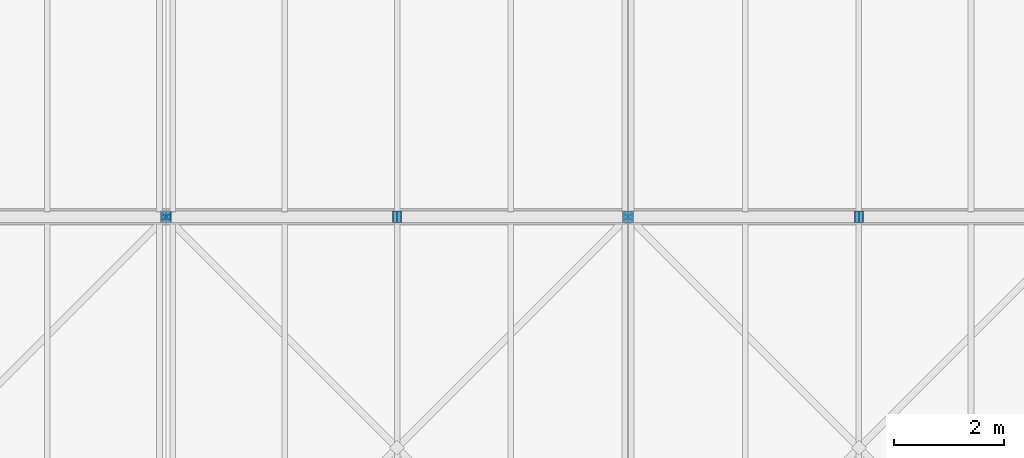
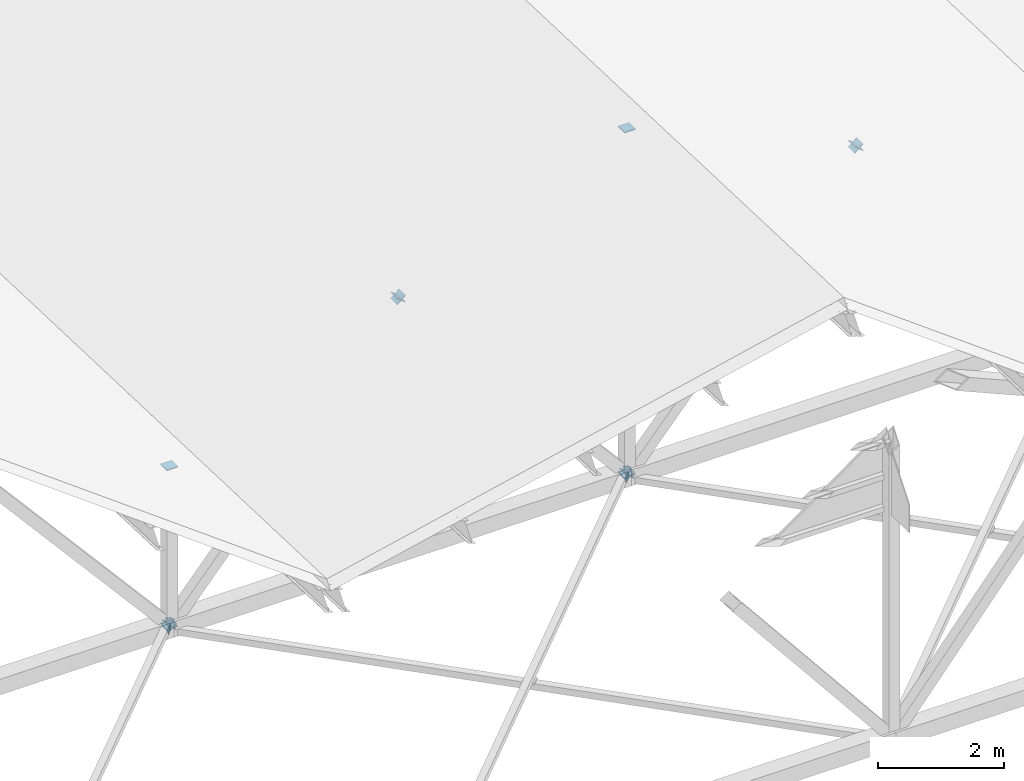
# One storey, part 52 of 76: 16 discrete accessories.
"""IFC4 building model written with IfcOpenShell, lengths in metres."""

from ifc_helpers import new_model, si_unit, direction, frame, origin, origin_2d, place, context, subcontext, project, spatial, rectangle, extrude, material, element, save


model = new_model("IFC4")

# Units and contexts
model_context = context("Model", 3, precision=1e-05, world=origin(), true_north=direction((0.0, 1.0)))
body_context = subcontext(model_context, "Body", "Model", "MODEL_VIEW")
ifc_project = project(units=[si_unit("LENGTHUNIT", "METRE"), si_unit("AREAUNIT", "SQUARE_METRE"), si_unit("VOLUMEUNIT", "CUBIC_METRE"), si_unit("PLANEANGLEUNIT", "RADIAN"), si_unit("MASSUNIT", "GRAM", prefix="KILO")], contexts=[model_context])

# Site, building, storey
site_placement = place(None, origin())
site = spatial("IfcSite", under=ifc_project, at=site_placement, CompositionType="ELEMENT")
building_placement = place(site_placement, origin())
building = spatial("IfcBuilding", under=site, at=building_placement, Name="Hlaing Beacon Police Headquarters", CompositionType="ELEMENT")
storey_placement = place(building_placement, frame((0.0, 0.0, 18.89990234375)))
storey = spatial("IfcBuildingStorey", under=building, at=storey_placement, Name="L04", CompositionType="ELEMENT", Elevation=18.89990234375)

# Discrete accessories
ifc_material = material(Name="Steel ASTM A572 Grade 50", Category="steel")
for number, where, z_axis, x_axis, name in (
    (1, (75.60009765625, 42.0, -4.33740234375), (0.0, 0.0, -1.0), (1.0, 0.0, 0.0), "Gusset plate GP-267"),
    (2, (75.60009765625, 42.0, -1.267578125), (0.0, 0.0, 1.0), (1.0, 0.0, 0.0), "Gusset plate GP-268"),
    (3, (84.0, 42.0, -4.33740234375), (0.0, 0.0, -1.0), (1.0, 0.0, 0.0), "Gusset plate GP-269"),
    (4, (84.0, 42.0, 2.344482421875), (0.0, 0.0, 1.0), (1.0, 0.0, 0.0), "Gusset plate GP-270"),
):
    element("IfcDiscreteAccessory", number, at=place(storey_placement, frame(where, z_axis=z_axis, x_axis=x_axis)), inside=storey, material=ifc_material, Name=name, PredefinedType="BRACKET", context=body_context, shape_type="SweptSolid", body=[
        extrude(rectangle(XDim=0.203125, YDim=0.203125, at=origin_2d()), origin(), (0.0, 0.0, 1.0), 0.02001953125),
    ])
for number, where, z_axis, x_axis, name in (
    (5, (75.5947265625, 42.0, -4.34130859375), (0.651583252877, 0.0, -0.75857713159), (0.0, 1.0, 0.0), "Gusset plate GP-280"),
    (6, (75.605224609375, 42.0, -4.34130859375), (-0.651561457918, 0.0, -0.758595851924), (0.0, -1.0, 0.0), "Gusset plate GP-281"),
    (7, (79.794921875, 42.0, 0.536376953125), (0.651561457918, 0.0, 0.758595851924), (0.0, 1.0, 0.0), "Gusset plate GP-282"),
    (8, (79.80517578125, 42.0, 0.536376953125), (-0.651561457918, 0.0, 0.758595851924), (0.0, -1.0, 0.0), "Gusset plate GP-283"),
    (9, (83.994873046875, 42.0, -4.34130859375), (0.651561457918, 0.0, -0.758595851924), (0.0, 1.0, 0.0), "Gusset plate GP-284"),
    (10, (84.005126953125, 42.0, -4.34130859375), (-0.651561457918, 0.0, -0.758595851924), (0.0, -1.0, 0.0), "Gusset plate GP-285"),
    (11, (88.19482421875, 42.0, 0.536376953125), (0.651561457918, 0.0, 0.758595851924), (0.0, 1.0, 0.0), "Gusset plate GP-286"),
    (12, (88.205078125, 42.0, 0.536376953125), (-0.651561457918, 0.0, 0.758595851924), (0.0, -1.0, 0.0), "Gusset plate GP-287"),
):
    element("IfcDiscreteAccessory", number, at=place(storey_placement, frame(where, z_axis=z_axis, x_axis=x_axis)), inside=storey, material=ifc_material, Name=name, PredefinedType="BRACKET", context=body_context, shape_type="SweptSolid", body=[
        extrude(rectangle(XDim=0.203125, YDim=0.203125, at=origin_2d()), origin(), (0.0, 0.0, 1.0), 0.01611328125),
    ])
for number, where, z_axis, x_axis, name in (
    (13, (75.595947265625, 41.995849609375, -4.27392578125), (0.707117056885, 0.707096505339, 0.0), (-0.707096505339, 0.707117056885, 0.0), "Gusset plate GP-388"),
    (14, (83.99560546875, 41.99560546875, -4.27392578125), (0.707106781187, 0.707106781187, 0.0), (-0.707106781187, 0.707106781187, 0.0), "Gusset plate GP-392"),
    (15, (75.604248046875, 41.995849609375, -4.4208984375), (-0.707106781187, 0.707106781187, 0.0), (-0.707106781187, -0.707106781187, 0.0), "Gusset plate GP-393"),
    (16, (84.004150390625, 41.995849609375, -4.4208984375), (-0.707106781187, 0.707106781187, 0.0), (-0.707106781187, -0.707106781187, 0.0), "Gusset plate GP-397"),
):
    element("IfcDiscreteAccessory", number, at=place(storey_placement, frame(where, z_axis=z_axis, x_axis=x_axis)), inside=storey, material=ifc_material, Name=name, PredefinedType="BRACKET", context=body_context, shape_type="SweptSolid", body=[
        extrude(rectangle(XDim=0.126953125, YDim=0.126953125, at=origin_2d()), origin(), (0.0, 0.0, 1.0), 0.011962890625),
    ])

save(model, "model.ifc")
